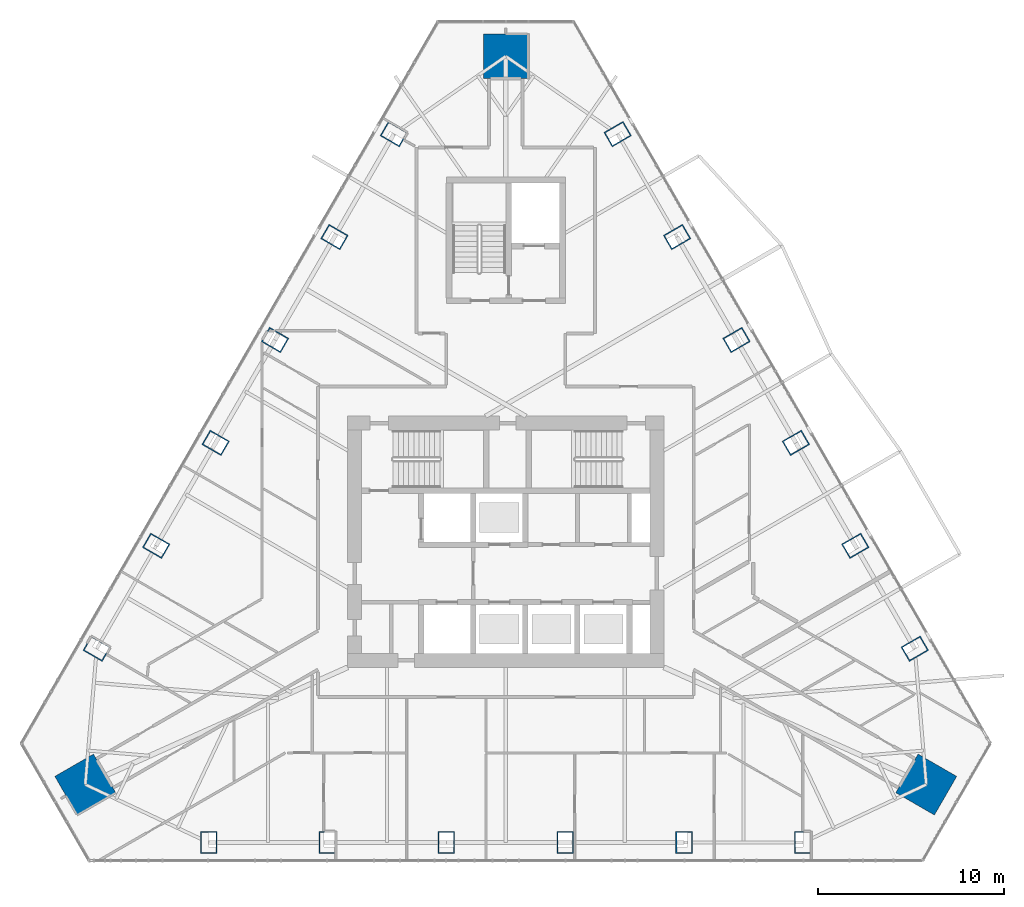
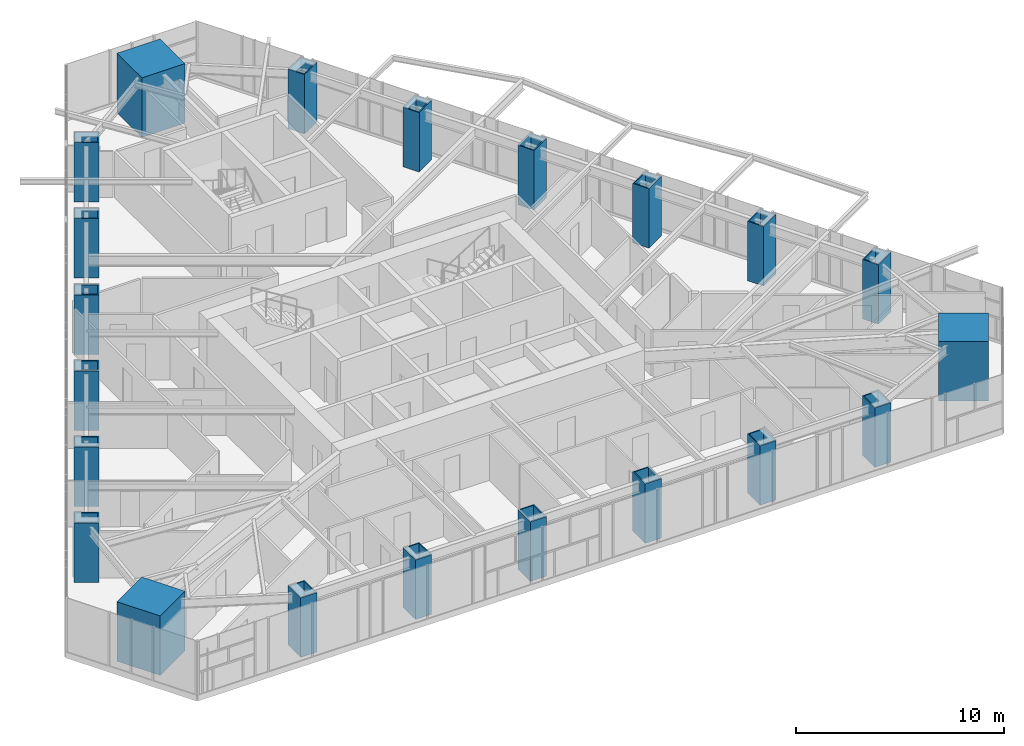
# One storey, part 1 of 26: 21 columns.
"""IFC4 building model written with IfcOpenShell, lengths in metres."""

from ifc_helpers import new_model, si_unit, direction, frame, origin, origin_2d, place, context, subcontext, project, spatial, rectangle, hollow_rectangle, extrude, material, material_profile, profile_set, type_object, element, save


model = new_model("IFC4")

# Units and contexts
model_context = context("Model", 3, precision=1e-05, world=origin(), true_north=direction((0.0, 1.0)))
body_context = subcontext(model_context, "Body", "Model", "MODEL_VIEW")
ifc_project = project(units=[si_unit("LENGTHUNIT", "METRE"), si_unit("AREAUNIT", "SQUARE_METRE"), si_unit("VOLUMEUNIT", "CUBIC_METRE"), si_unit("PLANEANGLEUNIT", "RADIAN"), si_unit("MASSUNIT", "GRAM", prefix="KILO")], contexts=[model_context])

# Site, building, storey
site_placement = place(None, origin())
site = spatial("IfcSite", under=ifc_project, at=site_placement, CompositionType="ELEMENT")
building_placement = place(site_placement, origin())
building = spatial("IfcBuilding", under=site, at=building_placement, Name="Firuza Gate Tower and Library", CompositionType="ELEMENT")
storey_placement = place(building_placement, frame((0.0, 0.0, 288.10009765625)))
storey = spatial("IfcBuildingStorey", under=building, at=storey_placement, Name="L69", CompositionType="ELEMENT", Elevation=288.10009765625)

# Columns
ifc_material_1 = material(Name="Steel S355", Category="steel")
ifc_material_profile_1 = material_profile(ifc_material_1, hollow_rectangle(XDim=0.89990234375, YDim=1.199951171875, WallThickness=0.06005859375, at=origin_2d()))
ifc_profile_set_1 = profile_set([ifc_material_profile_1], Name="Steel S355")
column_type_1 = type_object("IfcColumnType", Name="BU1200x900x60 Composite box column", PredefinedType="COLUMN", material=ifc_profile_set_1)
for number, where, z_axis, x_axis, name in (
    (1, (59.026611328125, 58.83203125, -0.00048828125), (0.0, 0.0, 1.0), (1.0, 0.0, 0.0), "Column S1 L69"),
    (2, (65.416015625, 58.83203125, -0.00048828125), (0.0, 0.0, 1.0), (1.0, 0.0, 0.0), "Column S2 L69"),
    (3, (71.805419921875, 58.83203125, -0.00048828125), (0.0, 0.0, 1.0), (1.0, 0.0, 0.0), "Column S3 L69"),
    (4, (78.194580078125, 58.83203125, -0.00048828125), (0.0, 0.0, 1.0), (1.0, 0.0, 0.0), "Column S4 L69"),
    (5, (84.583984375, 58.83203125, -0.00048828125), (0.0, 0.0, 1.0), (1.0, 0.0, 0.0), "Column S5 L69"),
    (6, (90.973388671875, 58.83203125, -0.00048828125), (0.0, 0.0, 1.0), (1.0, 0.0, 0.0), "Column S6 L69"),
    (7, (96.988525390625, 69.250732421875, -0.00048828125), (0.0, 0.0, 1.0), (-0.5, 0.866025403784, 0.0), "Column E1 L69"),
    (8, (93.7939453125, 74.783935546875, -0.00048828125), (0.0, 0.0, 1.0), (-0.5, 0.866025403784, 0.0), "Column E2 L69"),
    (9, (90.599365234375, 80.3173828125, -0.00048828125), (0.0, 0.0, 1.0), (-0.5, 0.866025403784, 0.0), "Column E3 L69"),
    (10, (87.404541015625, 85.8505859375, -0.00048828125), (0.0, 0.0, 1.0), (-0.5, 0.866025403784, 0.0), "Column E4 L69"),
    (11, (84.2099609375, 91.384033203125, -0.00048828125), (0.0, 0.0, 1.0), (-0.5, 0.866025403784, 0.0), "Column E5 L69"),
    (12, (81.01513671875, 96.917236328125, -0.00048828125), (0.0, 0.0, 1.0), (-0.5, 0.866025403784, 0.0), "Column E6 L69"),
    (13, (68.98486328125, 96.917236328125, -0.00048828125), (0.0, 0.0, 1.0), (-0.5, -0.866025403784, 0.0), "Column W1 L69"),
    (14, (65.7900390625, 91.384033203125, -0.00048828125), (0.0, 0.0, 1.0), (-0.5, -0.866025403784, 0.0), "Column W2 L69"),
    (15, (62.595458984375, 85.8505859375, -0.00048828125), (0.0, 0.0, 1.0), (-0.5, -0.866025403784, 0.0), "Column W3 L69"),
    (16, (59.400634765625, 80.3173828125, -0.00048828125), (0.0, 0.0, 1.0), (-0.5, -0.866025403784, 0.0), "Column W4 L69"),
    (17, (56.2060546875, 74.783935546875, -0.00048828125), (0.0, 0.0, 1.0), (-0.5, -0.866025403784, 0.0), "Column W5 L69"),
    (18, (53.011474609375, 69.250732421875, -0.00048828125), (0.0, 0.0, 1.0), (-0.5, -0.866025403784, 0.0), "Column W6 L69"),
):
    element("IfcColumn", number, at=place(storey_placement, frame(where, z_axis=z_axis, x_axis=x_axis)), inside=storey, type_object=column_type_1, Name=name, PredefinedType="COLUMN", context=body_context, shape_type="SweptSolid", body=[
        extrude(hollow_rectangle(XDim=0.89990234375, YDim=1.199951171875, WallThickness=0.06005859375, at=origin_2d()), origin(), (0.0, 0.0, 1.0), 3.50048828125),
    ])
ifc_material_2 = material(Name="Concrete C80/95", Category="concrete")
ifc_material_profile_2 = material_profile(ifc_material_2, rectangle(XDim=2.39990234375, YDim=2.39990234375, at=origin_2d()))
ifc_profile_set_2 = profile_set([ifc_material_profile_2], Name="Concrete C80/95")
column_type_2 = type_object("IfcColumnType", Name="Mega column 2400x2400 C80/95", PredefinedType="COLUMN", material=ifc_profile_set_2)
for number, where, z_axis, x_axis, name in (
    (19, (97.603759765625, 61.94970703125, 0.0), (0.0, 0.0, 1.0), (0.5, 0.866025403784, 0.0), "Mega column SE L69"),
    (20, (75.0, 101.1005859375, 0.0), (0.0, 0.0, 1.0), (-1.0, 0.0, 0.0), "Mega column N L69"),
    (21, (52.396240234375, 61.94970703125, 0.0), (0.0, 0.0, 1.0), (0.5, -0.866025403784, 0.0), "Mega column SW L69"),
):
    element("IfcColumn", number, at=place(storey_placement, frame(where, z_axis=z_axis, x_axis=x_axis)), inside=storey, type_object=column_type_2, Name=name, PredefinedType="COLUMN", context=body_context, shape_type="SweptSolid", body=[
        extrude(rectangle(XDim=2.39990234375, YDim=2.39990234375, at=origin_2d()), origin(), (0.0, 0.0, 1.0), 3.5),
    ])

save(model, "model.ifc")
